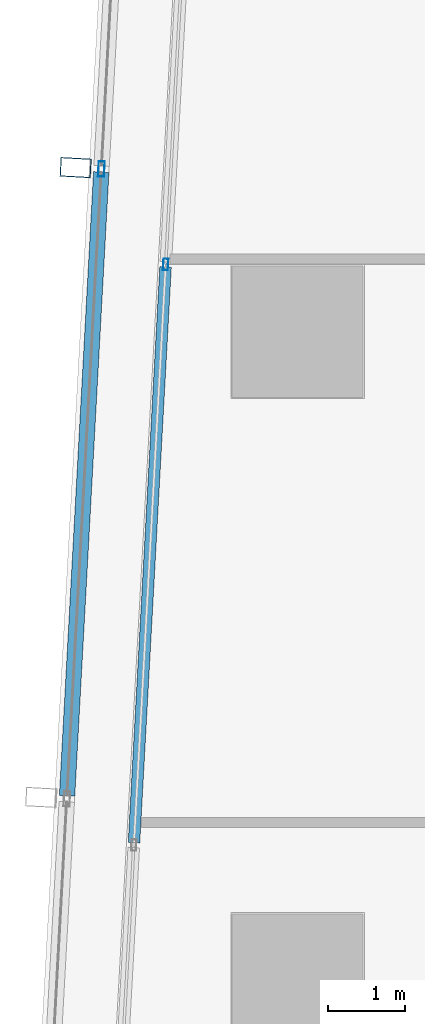
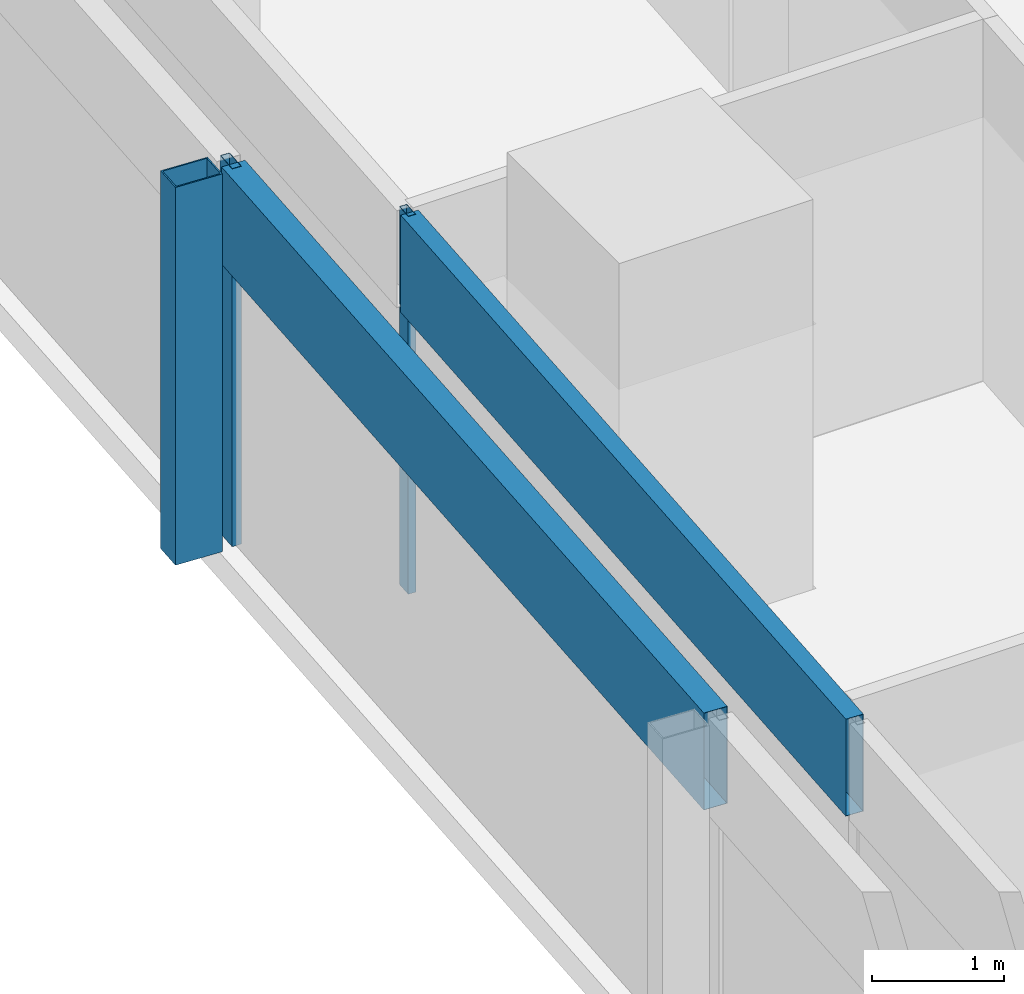
# One storey, part 8 of 40: 5 members, 2 elements without a shape of their own.
"""IFC4 building model written with IfcOpenShell, lengths in metres."""

from ifc_helpers import new_model, si_unit, direction, frame, origin, origin_2d, place, context, subcontext, project, spatial, hollow_rectangle, extrude, material, material_profile, profile_set, type_object, element, aggregate, save


model = new_model("IFC4")

# Units and contexts
model_context = context("Model", 3, precision=1e-05, world=origin(), true_north=direction((0.0, 1.0)))
body_context = subcontext(model_context, "Body", "Model", "MODEL_VIEW")
ifc_project = project(units=[si_unit("LENGTHUNIT", "METRE"), si_unit("AREAUNIT", "SQUARE_METRE"), si_unit("VOLUMEUNIT", "CUBIC_METRE"), si_unit("PLANEANGLEUNIT", "RADIAN"), si_unit("MASSUNIT", "GRAM", prefix="KILO")], contexts=[model_context])

# Site, building, storey
site_placement = place(None, origin())
site = spatial("IfcSite", under=ifc_project, at=site_placement, CompositionType="ELEMENT")
building_placement = place(site_placement, origin())
building = spatial("IfcBuilding", under=site, at=building_placement, Name="Rekha Terrace Tower", CompositionType="ELEMENT")
storey_placement = place(building_placement, frame((0.0, 0.0, 136.550048828125)))
storey = spatial("IfcBuildingStorey", under=building, at=storey_placement, Name="L34", CompositionType="ELEMENT", Elevation=136.550048828125)

# Curtain wall, member
ifc_material_1 = material(Name="Aluminium framing", Category="aluminium")
curtain_wall_type_1 = type_object("IfcCurtainWallType", Name="CW2 double skin outer glazing", PredefinedType="USERDEFINED", material=ifc_material_1)
curtain_wall_1_placement = place(storey_placement, origin())
curtain_wall_1 = element("IfcCurtainWall", 1, at=curtain_wall_1_placement, inside=storey, type_object=curtain_wall_type_1, Name="CW2 double skin outer glazing", ObjectType="DOUBLE SKIN OUTER GLAZING", PredefinedType="USERDEFINED")
ifc_material_2 = material(Name="Steel S355 with fluorocarbon finish", Category="steel")
ifc_material_profile_1 = material_profile(ifc_material_2, hollow_rectangle(XDim=0.25, YDim=0.39990234375, WallThickness=0.012451171875, at=origin_2d()), Name="RHS400x250x12.5")
ifc_profile_set_1 = profile_set([ifc_material_profile_1], Name="Steel S355 with fluorocarbon finish")
member_type_1 = type_object("IfcMemberType", Name="BL1 facade blade RHS 400 x 250", PredefinedType="USERDEFINED", material=ifc_profile_set_1)
member_1_placement = place(storey_placement, frame((5.521728515625, 44.128662109375, 0.0), z_axis=(0.0, 0.0, 1.0), x_axis=(-0.054742798353, -0.998500488747, 0.0)))
member_1 = element("IfcMember", 2, at=member_1_placement, type_object=member_type_1, Name="Facade blade", ObjectType="FACADE BLADE", PredefinedType="USERDEFINED", context=body_context, shape_type="SweptSolid", body=[
    extrude(hollow_rectangle(XDim=0.25, YDim=0.39990234375, WallThickness=0.012451171875, at=origin_2d()), origin(), (0.0, 0.0, 1.0), 3.5),
])

# Curtain wall, members
curtain_wall_type_2 = type_object("IfcCurtainWallType", Name="CW1 double skin inner glazing", PredefinedType="USERDEFINED", material=ifc_material_1)
curtain_wall_2_placement = place(storey_placement, origin())
curtain_wall_2 = element("IfcCurtainWall", 3, at=curtain_wall_2_placement, inside=storey, type_object=curtain_wall_type_2, Name="CW1 double skin inner glazing", ObjectType="DOUBLE SKIN INNER GLAZING", PredefinedType="USERDEFINED")
ifc_material_3 = material(Name="Aluminium mullion section", Category="aluminium")
ifc_material_profile_2 = material_profile(ifc_material_3, hollow_rectangle(XDim=0.06494140625, YDim=0.14990234375, WallThickness=0.00390625, at=origin_2d()), Name="AL RHS 65x150")
ifc_profile_set_2 = profile_set([ifc_material_profile_2], Name="Aluminium mullion section")
member_type_2 = type_object("IfcMemberType", Name="CW1 mullion RHS 65 x 150", PredefinedType="MULLION", material=ifc_profile_set_2)
member_2_placement = place(storey_placement, frame((6.689697265625, 42.87255859375, 0.0), z_axis=(0.0, 0.0, 1.0), x_axis=(0.99850051318, -0.054742352707, 0.0)))
member_2 = element("IfcMember", 4, at=member_2_placement, type_object=member_type_2, Name="CW1 mullion 3", PredefinedType="MULLION", context=body_context, shape_type="SweptSolid", body=[
    extrude(hollow_rectangle(XDim=0.06494140625, YDim=0.14990234375, WallThickness=0.00390625, at=origin_2d()), origin(), (0.0, 0.0, 1.0), 3.5),
])
ifc_material_4 = material(Name="Insulated aluminium spandrel box", Category="aluminium")
ifc_material_profile_3 = material_profile(ifc_material_4, hollow_rectangle(XDim=0.14990234375, YDim=0.89990234375, WallThickness=0.0029296875, at=origin_2d()), Name="AL SPANDREL BOX 150x900")
ifc_profile_set_3 = profile_set([ifc_material_profile_3], Name="Insulated aluminium spandrel box")
member_type_3 = type_object("IfcMemberType", Name="CW1 spandrel transom 150 x 900", PredefinedType="USERDEFINED", material=ifc_profile_set_3)
member_3_placement = place(storey_placement, frame((6.68798828125, 42.840087890625, 3.050048828125), z_axis=(-0.054766415299, -0.998499193668, 0.0), x_axis=(0.998499193668, -0.054766415299, 0.0)))
member_3 = element("IfcMember", 5, at=member_3_placement, type_object=member_type_3, Name="CW1 spandrel transom 3", ObjectType="TRANSOM", PredefinedType="USERDEFINED", context=body_context, shape_type="SweptSolid", body=[
    extrude(hollow_rectangle(XDim=0.14990234375, YDim=0.89990234375, WallThickness=0.0029296875, at=origin_2d()), origin(), (0.0, 0.0, 1.0), 7.475830078125),
])
aggregate(curtain_wall_2, [member_2, member_3])

# Member
ifc_material_profile_4 = material_profile(ifc_material_3, hollow_rectangle(XDim=0.080078125, YDim=0.199951171875, WallThickness=0.00390625, at=origin_2d()), Name="AL RHS 80x200")
ifc_profile_set_4 = profile_set([ifc_material_profile_4], Name="Aluminium mullion section")
member_type_4 = type_object("IfcMemberType", Name="CW2 mullion RHS 80 x 200", PredefinedType="MULLION", material=ifc_profile_set_4)
member_4_placement = place(storey_placement, frame((5.856201171875, 44.1103515625, 0.0), z_axis=(0.0, 0.0, 1.0), x_axis=(0.99850051318, -0.054742352707, 0.0)))
member_4 = element("IfcMember", 6, at=member_4_placement, type_object=member_type_4, Name="CW2 mullion 3", PredefinedType="MULLION", context=body_context, shape_type="SweptSolid", body=[
    extrude(hollow_rectangle(XDim=0.080078125, YDim=0.199951171875, WallThickness=0.00390625, at=origin_2d()), origin(), (0.0, 0.0, 1.0), 3.5),
])

ifc_material_profile_5 = material_profile(ifc_material_4, hollow_rectangle(XDim=0.199951171875, YDim=0.89990234375, WallThickness=0.0029296875, at=origin_2d()), Name="AL SPANDREL BOX 200x900")
ifc_profile_set_5 = profile_set([ifc_material_profile_5], Name="Insulated aluminium spandrel box")
member_type_5 = type_object("IfcMemberType", Name="CW2 spandrel transom 200 x 900", PredefinedType="USERDEFINED", material=ifc_profile_set_5)
member_5_placement = place(storey_placement, frame((5.85400390625, 44.070556640625, 3.050048828125), z_axis=(-0.054735499102, -0.998500888902, 0.0), x_axis=(0.998500888902, -0.054735499102, 0.0)))
member_5 = element("IfcMember", 7, at=member_5_placement, type_object=member_type_5, Name="CW2 spandrel transom 3", ObjectType="TRANSOM", PredefinedType="USERDEFINED", context=body_context, shape_type="SweptSolid", body=[
    extrude(hollow_rectangle(XDim=0.199951171875, YDim=0.89990234375, WallThickness=0.0029296875, at=origin_2d()), origin(), (0.0, 0.0, 1.0), 8.10009765625),
])

aggregate(curtain_wall_1, [member_4, member_5, member_1])

save(model, "model.ifc")
